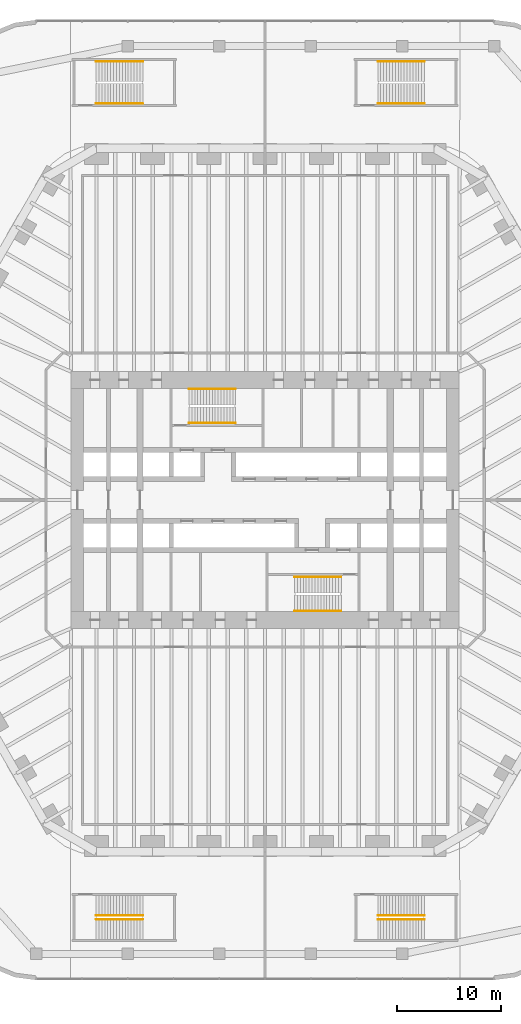
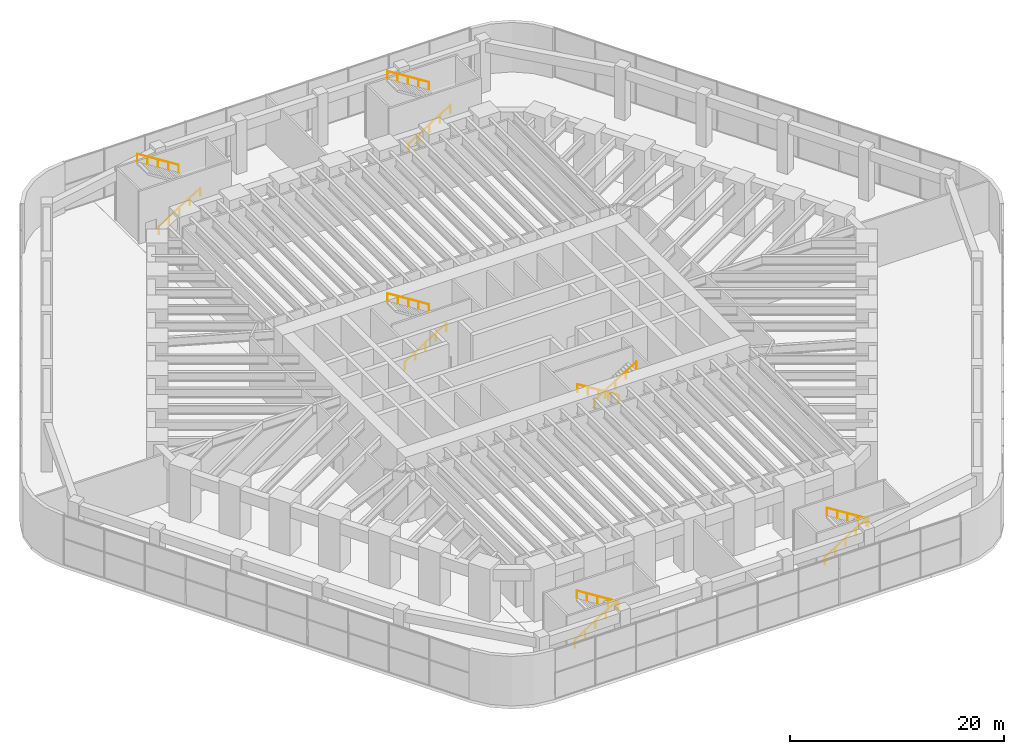
# One storey, part 31 of 31: 12 railings.
"""IFC4 building model written with IfcOpenShell, lengths in metres."""

from ifc_helpers import new_model, si_unit, direction, frame, origin, origin_2d, place, context, subcontext, project, spatial, circle, extrude, material, type_object, element, save


model = new_model("IFC4")

# Units and contexts
model_context = context("Model", 3, precision=1e-05, world=origin(), true_north=direction((0.0, 1.0)))
body_context = subcontext(model_context, "Body", "Model", "MODEL_VIEW")
ifc_project = project(units=[si_unit("LENGTHUNIT", "METRE"), si_unit("AREAUNIT", "SQUARE_METRE"), si_unit("VOLUMEUNIT", "CUBIC_METRE"), si_unit("PLANEANGLEUNIT", "RADIAN"), si_unit("MASSUNIT", "GRAM", prefix="KILO")], contexts=[model_context])

# Site, building, storey
site_placement = place(None, origin())
site = spatial("IfcSite", under=ifc_project, at=site_placement, CompositionType="ELEMENT")
building_placement = place(site_placement, origin())
building = spatial("IfcBuilding", under=site, at=building_placement, Name="Tarfa Lantern Tower", CompositionType="ELEMENT")
storey_placement = place(building_placement, frame((0.0, 0.0, 7.0)))
storey = spatial("IfcBuildingStorey", under=building, at=storey_placement, Name="L01", CompositionType="ELEMENT", Elevation=7.0)

# Railings
ifc_material = material(Name="Stainless steel", Category="steel")
railing_type = type_object("IfcRailingType", Name="HR1 HANDRAIL 900", PredefinedType="HANDRAIL", material=ifc_material)
railing_1_placement = place(storey_placement, frame((-7.300048828125, 7.3798828125, 0.176513671875)))
element("IfcRailing", 1, at=railing_1_placement, inside=storey, type_object=railing_type, Name="Handrail 1", PredefinedType="HANDRAIL", context=body_context, shape_type="SweptSolid", body=[
    extrude(circle(Radius=0.02392578125, at=origin_2d()), frame((0.0, 0.0, 0.8759765625), z_axis=(0.845997938375, 0.0, 0.533186166611), x_axis=(0.0, 1.0, 0.0)), (0.0, 0.0, 1.0), 5.29541015625),
    extrude(circle(Radius=0.02099609375, at=origin_2d()), frame((0.0, 0.0, 0.0), z_axis=(0.0, 0.0, 1.0), x_axis=(0.0, 1.0, 0.0)), (0.0, 0.0, 1.0), 0.851806640625),
    extrude(circle(Radius=0.02099609375, at=origin_2d()), frame((1.1201171875, 0.0, 0.705810546875), z_axis=(0.0, 0.0, 1.0), x_axis=(0.0, 1.0, 0.0)), (0.0, 0.0, 1.0), 0.851806640625),
    extrude(circle(Radius=0.02099609375, at=origin_2d()), frame((2.239990234375, 0.0, 1.41162109375), z_axis=(0.0, 0.0, 1.0), x_axis=(0.0, 1.0, 0.0)), (0.0, 0.0, 1.0), 0.851806640625),
    extrude(circle(Radius=0.02099609375, at=origin_2d()), frame((3.35986328125, 0.0, 2.11767578125), z_axis=(0.0, 0.0, 1.0), x_axis=(0.0, 1.0, 0.0)), (0.0, 0.0, 1.0), 0.851806640625),
    extrude(circle(Radius=0.02099609375, at=origin_2d()), frame((4.47998046875, 0.0, 2.823486328125), z_axis=(0.0, 0.0, 1.0), x_axis=(0.0, 1.0, 0.0)), (0.0, 0.0, 1.0), 0.851806640625),
])
for number, where, name in (
    (2, (-2.820068359375, 10.6201171875, 3.176513671875), "Handrail 2"),
    (3, (7.300048828125, -7.3798828125, 0.176513671875), "Handrail 1"),
):
    element("IfcRailing", number, at=place(storey_placement, frame(where)), inside=storey, type_object=railing_type, Name=name, PredefinedType="HANDRAIL", context=body_context, shape_type="SweptSolid", body=[
        extrude(circle(Radius=0.02392578125, at=origin_2d()), frame((0.0, 0.0, 0.8759765625), z_axis=(-0.845997938375, 0.0, 0.533186166611), x_axis=(0.0, -1.0, 0.0)), (0.0, 0.0, 1.0), 5.29541015625),
        extrude(circle(Radius=0.02099609375, at=origin_2d()), frame((0.0, 0.0, 0.0), z_axis=(0.0, 0.0, 1.0), x_axis=(0.0, -1.0, 0.0)), (0.0, 0.0, 1.0), 0.851806640625),
        extrude(circle(Radius=0.02099609375, at=origin_2d()), frame((-1.1201171875, 0.0, 0.705810546875), z_axis=(0.0, 0.0, 1.0), x_axis=(0.0, -1.0, 0.0)), (0.0, 0.0, 1.0), 0.851806640625),
        extrude(circle(Radius=0.02099609375, at=origin_2d()), frame((-2.239990234375, 0.0, 1.41162109375), z_axis=(0.0, 0.0, 1.0), x_axis=(0.0, -1.0, 0.0)), (0.0, 0.0, 1.0), 0.851806640625),
        extrude(circle(Radius=0.02099609375, at=origin_2d()), frame((-3.35986328125, 0.0, 2.11767578125), z_axis=(0.0, 0.0, 1.0), x_axis=(0.0, -1.0, 0.0)), (0.0, 0.0, 1.0), 0.851806640625),
        extrude(circle(Radius=0.02099609375, at=origin_2d()), frame((-4.47998046875, 0.0, 2.823486328125), z_axis=(0.0, 0.0, 1.0), x_axis=(0.0, -1.0, 0.0)), (0.0, 0.0, 1.0), 0.851806640625),
    ])
for number, where, name in (
    (4, (2.820068359375, -10.6201171875, 3.176513671875), "Handrail 2"),
    (5, (10.800048828125, 37.97998046875, 0.176513671875), "Handrail 1"),
):
    element("IfcRailing", number, at=place(storey_placement, frame(where)), inside=storey, type_object=railing_type, Name=name, PredefinedType="HANDRAIL", context=body_context, shape_type="SweptSolid", body=[
        extrude(circle(Radius=0.02392578125, at=origin_2d()), frame((0.0, 0.0, 0.8759765625), z_axis=(0.845997938375, 0.0, 0.533186166611), x_axis=(0.0, 1.0, 0.0)), (0.0, 0.0, 1.0), 5.29541015625),
        extrude(circle(Radius=0.02099609375, at=origin_2d()), frame((0.0, 0.0, 0.0), z_axis=(0.0, 0.0, 1.0), x_axis=(0.0, 1.0, 0.0)), (0.0, 0.0, 1.0), 0.851806640625),
        extrude(circle(Radius=0.02099609375, at=origin_2d()), frame((1.1201171875, 0.0, 0.705810546875), z_axis=(0.0, 0.0, 1.0), x_axis=(0.0, 1.0, 0.0)), (0.0, 0.0, 1.0), 0.851806640625),
        extrude(circle(Radius=0.02099609375, at=origin_2d()), frame((2.239990234375, 0.0, 1.41162109375), z_axis=(0.0, 0.0, 1.0), x_axis=(0.0, 1.0, 0.0)), (0.0, 0.0, 1.0), 0.851806640625),
        extrude(circle(Radius=0.02099609375, at=origin_2d()), frame((3.35986328125, 0.0, 2.11767578125), z_axis=(0.0, 0.0, 1.0), x_axis=(0.0, 1.0, 0.0)), (0.0, 0.0, 1.0), 0.851806640625),
        extrude(circle(Radius=0.02099609375, at=origin_2d()), frame((4.47998046875, 0.0, 2.823486328125), z_axis=(0.0, 0.0, 1.0), x_axis=(0.0, 1.0, 0.0)), (0.0, 0.0, 1.0), 0.851806640625),
    ])
railing_2_placement = place(storey_placement, frame((15.280029296875, 42.02001953125, 3.176513671875)))
element("IfcRailing", 6, at=railing_2_placement, inside=storey, type_object=railing_type, Name="Handrail 2", PredefinedType="HANDRAIL", context=body_context, shape_type="SweptSolid", body=[
    extrude(circle(Radius=0.02392578125, at=origin_2d()), frame((0.0, 0.0, 0.8759765625), z_axis=(-0.845997938375, 0.0, 0.533186166611), x_axis=(0.0, -1.0, 0.0)), (0.0, 0.0, 1.0), 5.29541015625),
    extrude(circle(Radius=0.02099609375, at=origin_2d()), frame((0.0, 0.0, 0.0), z_axis=(0.0, 0.0, 1.0), x_axis=(0.0, -1.0, 0.0)), (0.0, 0.0, 1.0), 0.851806640625),
    extrude(circle(Radius=0.02099609375, at=origin_2d()), frame((-1.1201171875, 0.0, 0.705810546875), z_axis=(0.0, 0.0, 1.0), x_axis=(0.0, -1.0, 0.0)), (0.0, 0.0, 1.0), 0.851806640625),
    extrude(circle(Radius=0.02099609375, at=origin_2d()), frame((-2.239990234375, 0.0, 1.41162109375), z_axis=(0.0, 0.0, 1.0), x_axis=(0.0, -1.0, 0.0)), (0.0, 0.0, 1.0), 0.851806640625),
    extrude(circle(Radius=0.02099609375, at=origin_2d()), frame((-3.35986328125, 0.0, 2.11767578125), z_axis=(0.0, 0.0, 1.0), x_axis=(0.0, -1.0, 0.0)), (0.0, 0.0, 1.0), 0.851806640625),
    extrude(circle(Radius=0.02099609375, at=origin_2d()), frame((-4.47998046875, 0.0, 2.823486328125), z_axis=(0.0, 0.0, 1.0), x_axis=(0.0, -1.0, 0.0)), (0.0, 0.0, 1.0), 0.851806640625),
])
railing_3_placement = place(storey_placement, frame((-16.199951171875, 37.97998046875, 0.176513671875)))
element("IfcRailing", 7, at=railing_3_placement, inside=storey, type_object=railing_type, Name="Handrail 1", PredefinedType="HANDRAIL", context=body_context, shape_type="SweptSolid", body=[
    extrude(circle(Radius=0.02392578125, at=origin_2d()), frame((0.0, 0.0, 0.8759765625), z_axis=(0.845997938375, 0.0, 0.533186166611), x_axis=(0.0, 1.0, 0.0)), (0.0, 0.0, 1.0), 5.29541015625),
    extrude(circle(Radius=0.02099609375, at=origin_2d()), frame((0.0, 0.0, 0.0), z_axis=(0.0, 0.0, 1.0), x_axis=(0.0, 1.0, 0.0)), (0.0, 0.0, 1.0), 0.851806640625),
    extrude(circle(Radius=0.02099609375, at=origin_2d()), frame((1.1201171875, 0.0, 0.705810546875), z_axis=(0.0, 0.0, 1.0), x_axis=(0.0, 1.0, 0.0)), (0.0, 0.0, 1.0), 0.851806640625),
    extrude(circle(Radius=0.02099609375, at=origin_2d()), frame((2.239990234375, 0.0, 1.41162109375), z_axis=(0.0, 0.0, 1.0), x_axis=(0.0, 1.0, 0.0)), (0.0, 0.0, 1.0), 0.851806640625),
    extrude(circle(Radius=0.02099609375, at=origin_2d()), frame((3.35986328125, 0.0, 2.11767578125), z_axis=(0.0, 0.0, 1.0), x_axis=(0.0, 1.0, 0.0)), (0.0, 0.0, 1.0), 0.851806640625),
    extrude(circle(Radius=0.02099609375, at=origin_2d()), frame((4.47998046875, 0.0, 2.823486328125), z_axis=(0.0, 0.0, 1.0), x_axis=(0.0, 1.0, 0.0)), (0.0, 0.0, 1.0), 0.851806640625),
])
railing_4_placement = place(storey_placement, frame((-11.719970703125, 42.02001953125, 3.176513671875)))
element("IfcRailing", 8, at=railing_4_placement, inside=storey, type_object=railing_type, Name="Handrail 2", PredefinedType="HANDRAIL", context=body_context, shape_type="SweptSolid", body=[
    extrude(circle(Radius=0.02392578125, at=origin_2d()), frame((0.0, 0.0, 0.8759765625), z_axis=(-0.845997938375, 0.0, 0.533186166611), x_axis=(0.0, -1.0, 0.0)), (0.0, 0.0, 1.0), 5.29541015625),
    extrude(circle(Radius=0.02099609375, at=origin_2d()), frame((0.0, 0.0, 0.0), z_axis=(0.0, 0.0, 1.0), x_axis=(0.0, -1.0, 0.0)), (0.0, 0.0, 1.0), 0.851806640625),
    extrude(circle(Radius=0.02099609375, at=origin_2d()), frame((-1.1201171875, 0.0, 0.705810546875), z_axis=(0.0, 0.0, 1.0), x_axis=(0.0, -1.0, 0.0)), (0.0, 0.0, 1.0), 0.851806640625),
    extrude(circle(Radius=0.02099609375, at=origin_2d()), frame((-2.239990234375, 0.0, 1.41162109375), z_axis=(0.0, 0.0, 1.0), x_axis=(0.0, -1.0, 0.0)), (0.0, 0.0, 1.0), 0.851806640625),
    extrude(circle(Radius=0.02099609375, at=origin_2d()), frame((-3.35986328125, 0.0, 2.11767578125), z_axis=(0.0, 0.0, 1.0), x_axis=(0.0, -1.0, 0.0)), (0.0, 0.0, 1.0), 0.851806640625),
    extrude(circle(Radius=0.02099609375, at=origin_2d()), frame((-4.47998046875, 0.0, 2.823486328125), z_axis=(0.0, 0.0, 1.0), x_axis=(0.0, -1.0, 0.0)), (0.0, 0.0, 1.0), 0.851806640625),
])
railing_5_placement = place(storey_placement, frame((-16.199951171875, -39.820068359375, 0.176513671875)))
element("IfcRailing", 9, at=railing_5_placement, inside=storey, type_object=railing_type, Name="Handrail 1", PredefinedType="HANDRAIL", context=body_context, shape_type="SweptSolid", body=[
    extrude(circle(Radius=0.02392578125, at=origin_2d()), frame((0.0, 0.0, 0.8759765625), z_axis=(0.845997938375, 0.0, 0.533186166611), x_axis=(0.0, 1.0, 0.0)), (0.0, 0.0, 1.0), 5.29541015625),
    extrude(circle(Radius=0.02099609375, at=origin_2d()), frame((0.0, 0.0, 0.0), z_axis=(0.0, 0.0, 1.0), x_axis=(0.0, 1.0, 0.0)), (0.0, 0.0, 1.0), 0.851806640625),
    extrude(circle(Radius=0.02099609375, at=origin_2d()), frame((1.1201171875, 0.0, 0.705810546875), z_axis=(0.0, 0.0, 1.0), x_axis=(0.0, 1.0, 0.0)), (0.0, 0.0, 1.0), 0.851806640625),
    extrude(circle(Radius=0.02099609375, at=origin_2d()), frame((2.239990234375, 0.0, 1.41162109375), z_axis=(0.0, 0.0, 1.0), x_axis=(0.0, 1.0, 0.0)), (0.0, 0.0, 1.0), 0.851806640625),
    extrude(circle(Radius=0.02099609375, at=origin_2d()), frame((3.35986328125, 0.0, 2.11767578125), z_axis=(0.0, 0.0, 1.0), x_axis=(0.0, 1.0, 0.0)), (0.0, 0.0, 1.0), 0.851806640625),
    extrude(circle(Radius=0.02099609375, at=origin_2d()), frame((4.47998046875, 0.0, 2.823486328125), z_axis=(0.0, 0.0, 1.0), x_axis=(0.0, 1.0, 0.0)), (0.0, 0.0, 1.0), 0.851806640625),
])
railing_6_placement = place(storey_placement, frame((-11.719970703125, -40.179931640625, 3.176513671875)))
element("IfcRailing", 10, at=railing_6_placement, inside=storey, type_object=railing_type, Name="Handrail 2", PredefinedType="HANDRAIL", context=body_context, shape_type="SweptSolid", body=[
    extrude(circle(Radius=0.02392578125, at=origin_2d()), frame((0.0, 0.0, 0.8759765625), z_axis=(-0.845997938375, 0.0, 0.533186166611), x_axis=(0.0, -1.0, 0.0)), (0.0, 0.0, 1.0), 5.29541015625),
    extrude(circle(Radius=0.02099609375, at=origin_2d()), frame((0.0, 0.0, 0.0), z_axis=(0.0, 0.0, 1.0), x_axis=(0.0, -1.0, 0.0)), (0.0, 0.0, 1.0), 0.851806640625),
    extrude(circle(Radius=0.02099609375, at=origin_2d()), frame((-1.1201171875, 0.0, 0.705810546875), z_axis=(0.0, 0.0, 1.0), x_axis=(0.0, -1.0, 0.0)), (0.0, 0.0, 1.0), 0.851806640625),
    extrude(circle(Radius=0.02099609375, at=origin_2d()), frame((-2.239990234375, 0.0, 1.41162109375), z_axis=(0.0, 0.0, 1.0), x_axis=(0.0, -1.0, 0.0)), (0.0, 0.0, 1.0), 0.851806640625),
    extrude(circle(Radius=0.02099609375, at=origin_2d()), frame((-3.35986328125, 0.0, 2.11767578125), z_axis=(0.0, 0.0, 1.0), x_axis=(0.0, -1.0, 0.0)), (0.0, 0.0, 1.0), 0.851806640625),
    extrude(circle(Radius=0.02099609375, at=origin_2d()), frame((-4.47998046875, 0.0, 2.823486328125), z_axis=(0.0, 0.0, 1.0), x_axis=(0.0, -1.0, 0.0)), (0.0, 0.0, 1.0), 0.851806640625),
])
railing_7_placement = place(storey_placement, frame((10.800048828125, -39.820068359375, 0.176513671875)))
element("IfcRailing", 11, at=railing_7_placement, inside=storey, type_object=railing_type, Name="Handrail 1", PredefinedType="HANDRAIL", context=body_context, shape_type="SweptSolid", body=[
    extrude(circle(Radius=0.02392578125, at=origin_2d()), frame((0.0, 0.0, 0.8759765625), z_axis=(0.845997938375, 0.0, 0.533186166611), x_axis=(0.0, 1.0, 0.0)), (0.0, 0.0, 1.0), 5.29541015625),
    extrude(circle(Radius=0.02099609375, at=origin_2d()), frame((0.0, 0.0, 0.0), z_axis=(0.0, 0.0, 1.0), x_axis=(0.0, 1.0, 0.0)), (0.0, 0.0, 1.0), 0.851806640625),
    extrude(circle(Radius=0.02099609375, at=origin_2d()), frame((1.1201171875, 0.0, 0.705810546875), z_axis=(0.0, 0.0, 1.0), x_axis=(0.0, 1.0, 0.0)), (0.0, 0.0, 1.0), 0.851806640625),
    extrude(circle(Radius=0.02099609375, at=origin_2d()), frame((2.239990234375, 0.0, 1.41162109375), z_axis=(0.0, 0.0, 1.0), x_axis=(0.0, 1.0, 0.0)), (0.0, 0.0, 1.0), 0.851806640625),
    extrude(circle(Radius=0.02099609375, at=origin_2d()), frame((3.35986328125, 0.0, 2.11767578125), z_axis=(0.0, 0.0, 1.0), x_axis=(0.0, 1.0, 0.0)), (0.0, 0.0, 1.0), 0.851806640625),
    extrude(circle(Radius=0.02099609375, at=origin_2d()), frame((4.47998046875, 0.0, 2.823486328125), z_axis=(0.0, 0.0, 1.0), x_axis=(0.0, 1.0, 0.0)), (0.0, 0.0, 1.0), 0.851806640625),
])
railing_8_placement = place(storey_placement, frame((15.280029296875, -40.179931640625, 3.176513671875)))
element("IfcRailing", 12, at=railing_8_placement, inside=storey, type_object=railing_type, Name="Handrail 2", PredefinedType="HANDRAIL", context=body_context, shape_type="SweptSolid", body=[
    extrude(circle(Radius=0.02392578125, at=origin_2d()), frame((0.0, 0.0, 0.8759765625), z_axis=(-0.845997938375, 0.0, 0.533186166611), x_axis=(0.0, -1.0, 0.0)), (0.0, 0.0, 1.0), 5.29541015625),
    extrude(circle(Radius=0.02099609375, at=origin_2d()), frame((0.0, 0.0, 0.0), z_axis=(0.0, 0.0, 1.0), x_axis=(0.0, -1.0, 0.0)), (0.0, 0.0, 1.0), 0.851806640625),
    extrude(circle(Radius=0.02099609375, at=origin_2d()), frame((-1.1201171875, 0.0, 0.705810546875), z_axis=(0.0, 0.0, 1.0), x_axis=(0.0, -1.0, 0.0)), (0.0, 0.0, 1.0), 0.851806640625),
    extrude(circle(Radius=0.02099609375, at=origin_2d()), frame((-2.239990234375, 0.0, 1.41162109375), z_axis=(0.0, 0.0, 1.0), x_axis=(0.0, -1.0, 0.0)), (0.0, 0.0, 1.0), 0.851806640625),
    extrude(circle(Radius=0.02099609375, at=origin_2d()), frame((-3.35986328125, 0.0, 2.11767578125), z_axis=(0.0, 0.0, 1.0), x_axis=(0.0, -1.0, 0.0)), (0.0, 0.0, 1.0), 0.851806640625),
    extrude(circle(Radius=0.02099609375, at=origin_2d()), frame((-4.47998046875, 0.0, 2.823486328125), z_axis=(0.0, 0.0, 1.0), x_axis=(0.0, -1.0, 0.0)), (0.0, 0.0, 1.0), 0.851806640625),
])

save(model, "model.ifc")
